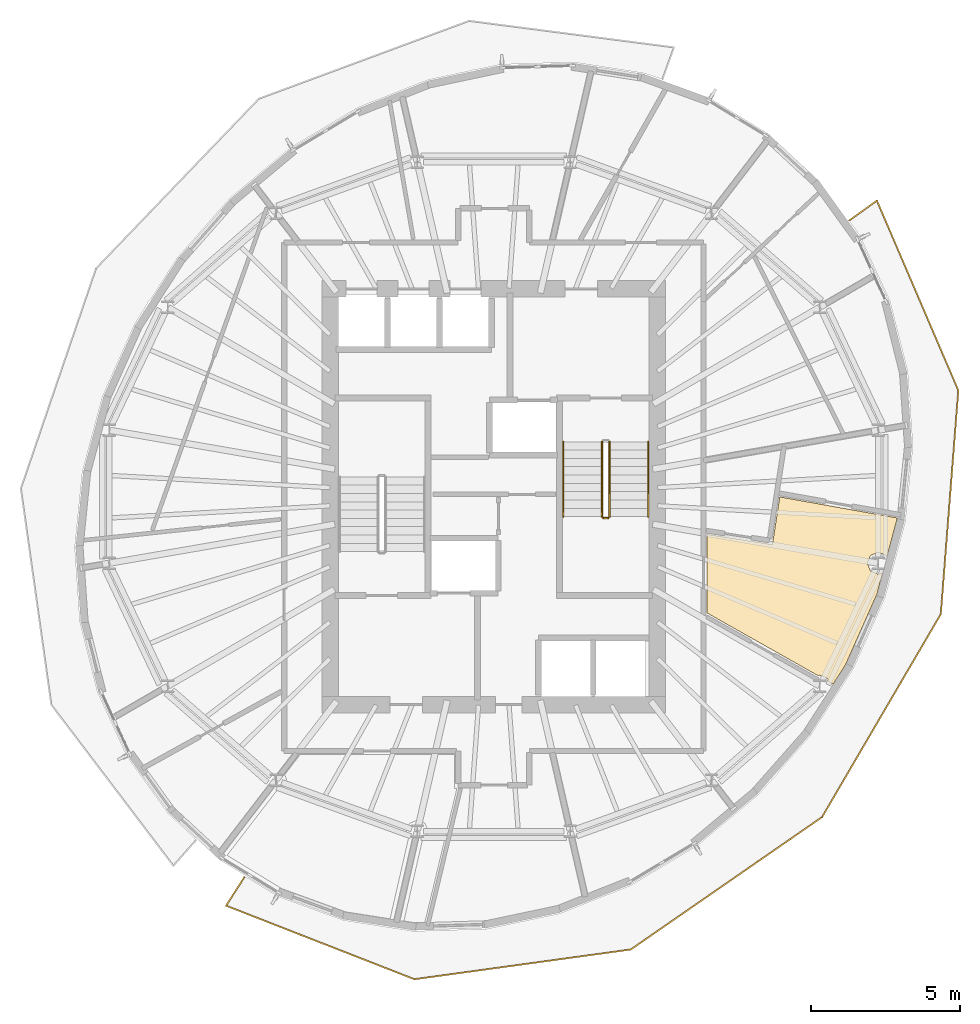
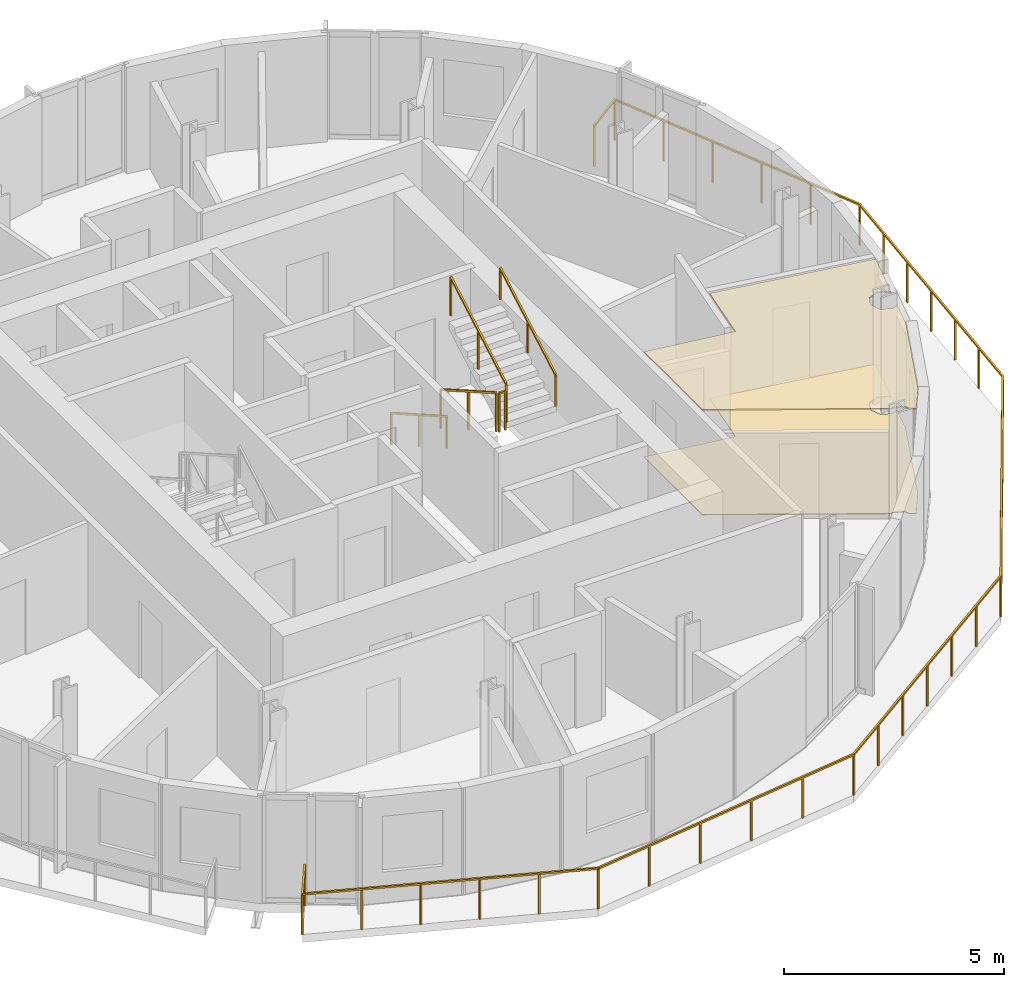
# One storey, part 9 of 11: 6 railings, 2 coverings.
"""IFC4 building model written with IfcOpenShell, lengths in metres."""

from ifc_helpers import new_model, si_unit, direction, frame, origin, origin_2d, place, context, subcontext, project, spatial, polyline, rectangle, outline, extrude, material, layer, layer_set, type_object, element, save


model = new_model("IFC4")

# Units and contexts
model_context = context("Model", 3, precision=1e-05, world=origin(), true_north=direction((0.0, 1.0)))
body_context = subcontext(model_context, "Body", "Model", "MODEL_VIEW")
ifc_project = project(units=[si_unit("LENGTHUNIT", "METRE"), si_unit("AREAUNIT", "SQUARE_METRE"), si_unit("VOLUMEUNIT", "CUBIC_METRE"), si_unit("PLANEANGLEUNIT", "RADIAN"), si_unit("MASSUNIT", "GRAM", prefix="KILO")], contexts=[model_context])

# Site, building, storey
site_placement = place(None, origin())
site = spatial("IfcSite", under=ifc_project, at=site_placement, CompositionType="ELEMENT")
building_placement = place(site_placement, origin())
building = spatial("IfcBuilding", under=site, at=building_placement, Name="Veldorim Arch Residences", CompositionType="ELEMENT")
storey_placement = place(building_placement, frame((0.0, 0.0, 217.43994140625)))
storey = spatial("IfcBuildingStorey", under=building, at=storey_placement, Name="L65", CompositionType="ELEMENT", Elevation=217.43994140625)

# Railings
ifc_material_1 = material(Name="Aluminium", Category="aluminium")
railing_type_1 = type_object("IfcRailingType", Name="Balcony & Terrace Laminated Glass Balustrade 1150", PredefinedType="BALUSTRADE", material=ifc_material_1)
railing_1_placement = place(storey_placement, frame((23.605712890625, 11.197509765625, 0.0)))
element("IfcRailing", 1, at=railing_1_placement, inside=storey, type_object=railing_type_1, Name="L65 crescent balcony safety balustrade B", PredefinedType="BALUSTRADE", context=body_context, shape_type="SweptSolid", body=[
    extrude(rectangle(XDim=0.048095703125, YDim=0.048095703125, at=origin_2d()), frame((0.0, 0.0, 1.1259765625), z_axis=(-0.539866721339, -0.84175051125, 0.0), x_axis=(0.84175051125, -0.539866721339, 0.0)), (0.0, 0.0, 1.0), 1.14990234375),
    extrude(rectangle(XDim=0.048095703125, YDim=0.048095703125, at=origin_2d()), frame((-0.620849609375, -0.968017578125, 1.1259765625), z_axis=(0.931436271677, -0.363904481705, 0.0), x_axis=(0.363904481705, 0.931436271677, 0.0)), (0.0, 0.0, 1.0), 6.808837890625),
    extrude(rectangle(XDim=0.048095703125, YDim=0.048095703125, at=origin_2d()), frame((5.72119140625, -3.44580078125, 1.1259765625), z_axis=(0.990686843164, 0.136160121847, 0.0), x_axis=(-0.136160121847, 0.990686843164, 0.0)), (0.0, 0.0, 1.0), 7.35693359375),
    extrude(rectangle(XDim=0.048095703125, YDim=0.048095703125, at=origin_2d()), frame((13.009521484375, -2.444091796875, 1.1259765625), z_axis=(0.822191069367, 0.569211599893, 0.0), x_axis=(-0.569211599893, 0.822191069367, 0.0)), (0.0, 0.0, 1.0), 7.83154296875),
    extrude(rectangle(XDim=0.048095703125, YDim=0.048095703125, at=origin_2d()), frame((19.448486328125, 2.013671875, 1.1259765625), z_axis=(0.505007263039, 0.863115093297, 0.0), x_axis=(-0.863115093297, 0.505007263039, 0.0)), (0.0, 0.0, 1.0), 7.919189453125),
    extrude(rectangle(XDim=0.048095703125, YDim=0.048095703125, at=origin_2d()), frame((23.44775390625, 8.848876953125, 1.1259765625), z_axis=(0.078070336252, 0.9969478535, 0.0), x_axis=(-0.9969478535, 0.078070336252, 0.0)), (0.0, 0.0, 1.0), 7.55517578125),
    extrude(rectangle(XDim=0.048095703125, YDim=0.048095703125, at=origin_2d()), frame((24.03759765625, 16.381103515625, 1.1259765625), z_axis=(-0.39431319437, 0.918976117614, 0.0), x_axis=(-0.918976117614, -0.39431319437, 0.0)), (0.0, 0.0, 1.0), 6.956298828125),
    extrude(rectangle(XDim=0.048095703125, YDim=0.048095703125, at=origin_2d()), frame((21.294677734375, 22.773681640625, 1.1259765625), z_axis=(-0.811965053518, -0.583706049194, 0.0), x_axis=(0.583706049194, -0.811965053518, 0.0)), (0.0, 0.0, 1.0), 1.14990234375),
    extrude(rectangle(XDim=0.0419921875, YDim=0.0419921875, at=origin_2d()), origin(), (0.0, 0.0, 1.0), 1.101806640625),
    extrude(rectangle(XDim=0.0419921875, YDim=0.0419921875, at=origin_2d()), frame((-0.620849609375, -0.968017578125, 0.0)), (0.0, 0.0, 1.0), 1.101806640625),
    extrude(rectangle(XDim=0.0419921875, YDim=0.0419921875, at=origin_2d()), frame((0.6474609375, -1.463623046875, 0.0)), (0.0, 0.0, 1.0), 1.101806640625),
    extrude(rectangle(XDim=0.0419921875, YDim=0.0419921875, at=origin_2d()), frame((1.916015625, -1.959228515625, 0.0)), (0.0, 0.0, 1.0), 1.101806640625),
    extrude(rectangle(XDim=0.0419921875, YDim=0.0419921875, at=origin_2d()), frame((3.184326171875, -2.45458984375, 0.0)), (0.0, 0.0, 1.0), 1.101806640625),
    extrude(rectangle(XDim=0.0419921875, YDim=0.0419921875, at=origin_2d()), frame((4.452880859375, -2.9501953125, 0.0)), (0.0, 0.0, 1.0), 1.101806640625),
    extrude(rectangle(XDim=0.0419921875, YDim=0.0419921875, at=origin_2d()), frame((5.72119140625, -3.44580078125, 0.0)), (0.0, 0.0, 1.0), 1.101806640625),
    extrude(rectangle(XDim=0.0419921875, YDim=0.0419921875, at=origin_2d()), frame((7.178955078125, -3.245361328125, 0.0)), (0.0, 0.0, 1.0), 1.101806640625),
    extrude(rectangle(XDim=0.0419921875, YDim=0.0419921875, at=origin_2d()), frame((8.636474609375, -3.045166015625, 0.0)), (0.0, 0.0, 1.0), 1.101806640625),
    extrude(rectangle(XDim=0.0419921875, YDim=0.0419921875, at=origin_2d()), frame((10.09423828125, -2.8447265625, 0.0)), (0.0, 0.0, 1.0), 1.101806640625),
    extrude(rectangle(XDim=0.0419921875, YDim=0.0419921875, at=origin_2d()), frame((11.5517578125, -2.64453125, 0.0)), (0.0, 0.0, 1.0), 1.101806640625),
    extrude(rectangle(XDim=0.0419921875, YDim=0.0419921875, at=origin_2d()), frame((13.009521484375, -2.444091796875, 0.0)), (0.0, 0.0, 1.0), 1.101806640625),
    extrude(rectangle(XDim=0.0419921875, YDim=0.0419921875, at=origin_2d()), frame((14.082763671875, -1.701171875, 0.0)), (0.0, 0.0, 1.0), 1.101806640625),
    extrude(rectangle(XDim=0.0419921875, YDim=0.0419921875, at=origin_2d()), frame((15.15576171875, -0.958251953125, 0.0)), (0.0, 0.0, 1.0), 1.101806640625),
    extrude(rectangle(XDim=0.0419921875, YDim=0.0419921875, at=origin_2d()), frame((16.22900390625, -0.21533203125, 0.0)), (0.0, 0.0, 1.0), 1.101806640625),
    extrude(rectangle(XDim=0.0419921875, YDim=0.0419921875, at=origin_2d()), frame((17.30224609375, 0.52783203125, 0.0)), (0.0, 0.0, 1.0), 1.101806640625),
    extrude(rectangle(XDim=0.0419921875, YDim=0.0419921875, at=origin_2d()), frame((18.375244140625, 1.270751953125, 0.0)), (0.0, 0.0, 1.0), 1.101806640625),
    extrude(rectangle(XDim=0.0419921875, YDim=0.0419921875, at=origin_2d()), frame((19.448486328125, 2.013671875, 0.0)), (0.0, 0.0, 1.0), 1.101806640625),
    extrude(rectangle(XDim=0.0419921875, YDim=0.0419921875, at=origin_2d()), frame((20.114990234375, 3.15283203125, 0.0)), (0.0, 0.0, 1.0), 1.101806640625),
    extrude(rectangle(XDim=0.0419921875, YDim=0.0419921875, at=origin_2d()), frame((20.781494140625, 4.2919921875, 0.0)), (0.0, 0.0, 1.0), 1.101806640625),
    extrude(rectangle(XDim=0.0419921875, YDim=0.0419921875, at=origin_2d()), frame((21.4482421875, 5.43115234375, 0.0)), (0.0, 0.0, 1.0), 1.101806640625),
    extrude(rectangle(XDim=0.0419921875, YDim=0.0419921875, at=origin_2d()), frame((22.11474609375, 6.570556640625, 0.0)), (0.0, 0.0, 1.0), 1.101806640625),
    extrude(rectangle(XDim=0.0419921875, YDim=0.0419921875, at=origin_2d()), frame((22.78125, 7.709716796875, 0.0)), (0.0, 0.0, 1.0), 1.101806640625),
    extrude(rectangle(XDim=0.0419921875, YDim=0.0419921875, at=origin_2d()), frame((23.44775390625, 8.848876953125, 0.0)), (0.0, 0.0, 1.0), 1.101806640625),
    extrude(rectangle(XDim=0.0419921875, YDim=0.0419921875, at=origin_2d()), frame((23.546142578125, 10.104248046875, 0.0)), (0.0, 0.0, 1.0), 1.101806640625),
    extrude(rectangle(XDim=0.0419921875, YDim=0.0419921875, at=origin_2d()), frame((23.644287109375, 11.359619140625, 0.0)), (0.0, 0.0, 1.0), 1.101806640625),
    extrude(rectangle(XDim=0.0419921875, YDim=0.0419921875, at=origin_2d()), frame((23.74267578125, 12.614990234375, 0.0)), (0.0, 0.0, 1.0), 1.101806640625),
    extrude(rectangle(XDim=0.0419921875, YDim=0.0419921875, at=origin_2d()), frame((23.841064453125, 13.870361328125, 0.0)), (0.0, 0.0, 1.0), 1.101806640625),
    extrude(rectangle(XDim=0.0419921875, YDim=0.0419921875, at=origin_2d()), frame((23.939208984375, 15.125732421875, 0.0)), (0.0, 0.0, 1.0), 1.101806640625),
    extrude(rectangle(XDim=0.0419921875, YDim=0.0419921875, at=origin_2d()), frame((24.03759765625, 16.381103515625, 0.0)), (0.0, 0.0, 1.0), 1.101806640625),
    extrude(rectangle(XDim=0.0419921875, YDim=0.0419921875, at=origin_2d()), frame((23.489013671875, 17.65966796875, 0.0)), (0.0, 0.0, 1.0), 1.101806640625),
    extrude(rectangle(XDim=0.0419921875, YDim=0.0419921875, at=origin_2d()), frame((22.9404296875, 18.938232421875, 0.0)), (0.0, 0.0, 1.0), 1.101806640625),
    extrude(rectangle(XDim=0.0419921875, YDim=0.0419921875, at=origin_2d()), frame((22.391845703125, 20.216552734375, 0.0)), (0.0, 0.0, 1.0), 1.101806640625),
    extrude(rectangle(XDim=0.0419921875, YDim=0.0419921875, at=origin_2d()), frame((21.84326171875, 21.4951171875, 0.0)), (0.0, 0.0, 1.0), 1.101806640625),
    extrude(rectangle(XDim=0.0419921875, YDim=0.0419921875, at=origin_2d()), frame((21.294677734375, 22.773681640625, 0.0)), (0.0, 0.0, 1.0), 1.101806640625),
    extrude(rectangle(XDim=0.0419921875, YDim=0.0419921875, at=origin_2d()), frame((20.361083984375, 22.1025390625, 0.0)), (0.0, 0.0, 1.0), 1.101806640625),
])
ifc_material_2 = material(Name="Steel S355", Category="steel")
railing_type_2 = type_object("IfcRailingType", Name="Galvanised Steel Stair Safety Guardrail 1100", PredefinedType="GUARDRAIL", material=ifc_material_2)
railing_2_placement = place(storey_placement, frame((35.639892578125, 25.85009765625, 0.16015625)))
element("IfcRailing", 2, at=railing_2_placement, inside=storey, type_object=railing_type_2, Name="L65 ST-2 stair guard 1", PredefinedType="GUARDRAIL", context=body_context, shape_type="SweptSolid", body=[
    extrude(rectangle(XDim=0.048095703125, YDim=0.048095703125, at=origin_2d()), frame((0.0, 0.0, 1.076171875), z_axis=(0.0, -0.868253494771, 0.496120820787), x_axis=(1.0, 0.0, 0.0)), (0.0, 0.0, 1.0), 2.90234375),
    extrude(rectangle(XDim=0.0419921875, YDim=0.0419921875, at=origin_2d()), origin(), (0.0, 0.0, 1.0), 1.052001953125),
    extrude(rectangle(XDim=0.0419921875, YDim=0.0419921875, at=origin_2d()), frame((0.0, -1.260009765625, 0.719970703125)), (0.0, 0.0, 1.0), 1.052001953125),
    extrude(rectangle(XDim=0.0419921875, YDim=0.0419921875, at=origin_2d()), frame((0.0, -2.52001953125, 1.43994140625)), (0.0, 0.0, 1.0), 1.052001953125),
])
railing_3_placement = place(storey_placement, frame((35.68994140625, 23.280029296875, 1.60009765625)))
element("IfcRailing", 3, at=railing_3_placement, inside=storey, type_object=railing_type_2, Name="L65 ST-2 stair guard 2", PredefinedType="GUARDRAIL", context=body_context, shape_type="SweptSolid", body=[
    extrude(rectangle(XDim=0.048095703125, YDim=0.048095703125, at=origin_2d()), frame((0.0, 0.0, 1.076171875), z_axis=(1.0, 0.0, 0.0), x_axis=(0.0, 1.0, 0.0)), (0.0, 0.0, 1.0), 0.16015625),
    extrude(rectangle(XDim=0.0419921875, YDim=0.0419921875, at=origin_2d()), origin(), (0.0, 0.0, 1.0), 1.052001953125),
    extrude(rectangle(XDim=0.0419921875, YDim=0.0419921875, at=origin_2d()), frame((0.16015625, 0.0, 0.0)), (0.0, 0.0, 1.0), 1.052001953125),
])
railing_4_placement = place(storey_placement, frame((35.89990234375, 23.330078125, 1.760009765625)))
element("IfcRailing", 4, at=railing_4_placement, inside=storey, type_object=railing_type_2, Name="L65 ST-2 stair guard 3", PredefinedType="GUARDRAIL", context=body_context, shape_type="SweptSolid", body=[
    extrude(rectangle(XDim=0.048095703125, YDim=0.048095703125, at=origin_2d()), frame((0.0, 0.0, 1.076171875), z_axis=(0.0, 0.868253494771, 0.496120820787), x_axis=(-1.0, 0.0, 0.0)), (0.0, 0.0, 1.0), 2.90234375),
    extrude(rectangle(XDim=0.0419921875, YDim=0.0419921875, at=origin_2d()), origin(), (0.0, 0.0, 1.0), 1.052001953125),
    extrude(rectangle(XDim=0.0419921875, YDim=0.0419921875, at=origin_2d()), frame((0.0, 1.260009765625, 0.719970703125)), (0.0, 0.0, 1.0), 1.052001953125),
    extrude(rectangle(XDim=0.0419921875, YDim=0.0419921875, at=origin_2d()), frame((0.0, 2.52001953125, 1.43994140625)), (0.0, 0.0, 1.0), 1.052001953125),
])

# Coverings
ifc_material_3 = material(Name="Acoustic Gypsum & Mineral Fibre", Category="gypsum")
ifc_layer_1 = layer(ifc_material_3, 0.034912109375, Name="Perforated Acoustic Mineral-Fibre Ceiling 35")
ifc_layer_set_1 = layer_set([ifc_layer_1], Name="Acoustic Gypsum & Mineral Fibre")
covering_type_1 = type_object("IfcCoveringType", Name="Perforated Acoustic Mineral-Fibre Ceiling 35", PredefinedType="CEILING", material=ifc_layer_set_1)
covering_1_placement = place(storey_placement, frame((0.0, 0.0, 2.905029296875)))
element("IfcCovering", 5, at=covering_1_placement, inside=storey, type_object=covering_type_1, Name="L65 acoustic suspended ceiling 02", PredefinedType="CEILING", context=body_context, shape_type="SweptSolid", body=[
    extrude(outline(polyline([(44.899169921875, 20.720703125), (43.839599609375, 18.337158203125), (43.423095703125, 17.689208984375), (43.28466796875, 17.767578125), (43.236572265625, 17.88330078125), (42.975341796875, 17.991455078125), (42.9248046875, 17.970703125), (39.179931640625, 20.084716796875), (39.179931640625, 22.732421875), (41.381103515625, 22.390625), (41.6298828125, 23.992431640625), (45.5732421875, 23.286376953125), (45.564697265625, 23.202880859375), (45.232177734375, 21.96240234375), (45.20751953125, 22.021484375), (44.9462890625, 22.1298828125), (44.685302734375, 22.021484375), (44.576904296875, 21.760498046875), (44.685302734375, 21.499267578125), (44.9462890625, 21.39111328125), (45.095458984375, 21.452880859375), (44.899169921875, 20.720703125)])), origin(), (0.0, 0.0, 1.0), 0.034912109375),
])
ifc_material_4 = material(Name="Porcelain Ceramic Tile", Category="ceramic")
ifc_layer_2 = layer(ifc_material_4, 0.02001953125, Name="Slip-Resistant Porcelain & Vinyl Floor Finish 20")
ifc_layer_set_2 = layer_set([ifc_layer_2], Name="Porcelain Ceramic Tile")
covering_type_2 = type_object("IfcCoveringType", Name="Slip-Resistant Porcelain & Vinyl Floor Finish 20", PredefinedType="FLOORING", material=ifc_layer_set_2)
covering_2_placement = place(storey_placement, origin())
element("IfcCovering", 6, at=covering_2_placement, inside=storey, type_object=covering_type_2, Name="L65 porcelain floor finish 02", PredefinedType="FLOORING", context=body_context, shape_type="SweptSolid", body=[
    extrude(outline(polyline([(44.899169921875, 20.720703125), (43.839599609375, 18.337158203125), (43.423095703125, 17.689208984375), (43.28466796875, 17.767578125), (43.236572265625, 17.88330078125), (42.975341796875, 17.991455078125), (42.9248046875, 17.970703125), (39.179931640625, 20.084716796875), (39.179931640625, 22.732421875), (41.381103515625, 22.390625), (41.6298828125, 23.992431640625), (45.5732421875, 23.286376953125), (45.564697265625, 23.202880859375), (45.232177734375, 21.96240234375), (45.20751953125, 22.021484375), (44.9462890625, 22.1298828125), (44.685302734375, 22.021484375), (44.576904296875, 21.760498046875), (44.685302734375, 21.499267578125), (44.9462890625, 21.39111328125), (45.095458984375, 21.452880859375), (44.899169921875, 20.720703125)])), origin(), (0.0, 0.0, 1.0), 0.02001953125),
])

# Railings
ifc_material_5 = material(Name="Stainless Steel", Category="steel")
railing_type_3 = type_object("IfcRailingType", Name="Tubular Steel Continuous Wall Handrail 900", PredefinedType="HANDRAIL", material=ifc_material_5)
railing_5_placement = place(storey_placement, frame((34.340087890625, 25.85009765625, 0.16015625)))
element("IfcRailing", 7, at=railing_5_placement, inside=storey, type_object=railing_type_3, Name="L65 ST-2 stair handrail 1", PredefinedType="HANDRAIL", context=body_context, shape_type="SweptSolid", body=[
    extrude(rectangle(XDim=0.048095703125, YDim=0.048095703125, at=origin_2d()), frame((0.0, 0.0, 0.8759765625), z_axis=(0.0, -0.868253494771, 0.496120820787), x_axis=(1.0, 0.0, 0.0)), (0.0, 0.0, 1.0), 2.90234375),
    extrude(rectangle(XDim=0.0419921875, YDim=0.0419921875, at=origin_2d()), origin(), (0.0, 0.0, 1.0), 0.851806640625),
    extrude(rectangle(XDim=0.0419921875, YDim=0.0419921875, at=origin_2d()), frame((0.0, -1.260009765625, 0.719970703125)), (0.0, 0.0, 1.0), 0.851806640625),
    extrude(rectangle(XDim=0.0419921875, YDim=0.0419921875, at=origin_2d()), frame((0.0, -2.52001953125, 1.43994140625)), (0.0, 0.0, 1.0), 0.851806640625),
])
railing_6_placement = place(storey_placement, frame((37.199951171875, 23.330078125, 1.760009765625)))
element("IfcRailing", 8, at=railing_6_placement, inside=storey, type_object=railing_type_3, Name="L65 ST-2 stair handrail 2", PredefinedType="HANDRAIL", context=body_context, shape_type="SweptSolid", body=[
    extrude(rectangle(XDim=0.048095703125, YDim=0.048095703125, at=origin_2d()), frame((0.0, 0.0, 0.8759765625), z_axis=(0.0, 0.868253494771, 0.496120820787), x_axis=(-1.0, 0.0, 0.0)), (0.0, 0.0, 1.0), 2.90234375),
    extrude(rectangle(XDim=0.0419921875, YDim=0.0419921875, at=origin_2d()), origin(), (0.0, 0.0, 1.0), 0.851806640625),
    extrude(rectangle(XDim=0.0419921875, YDim=0.0419921875, at=origin_2d()), frame((0.0, 1.260009765625, 0.719970703125)), (0.0, 0.0, 1.0), 0.851806640625),
    extrude(rectangle(XDim=0.0419921875, YDim=0.0419921875, at=origin_2d()), frame((0.0, 2.52001953125, 1.43994140625)), (0.0, 0.0, 1.0), 0.851806640625),
])

save(model, "model.ifc")
